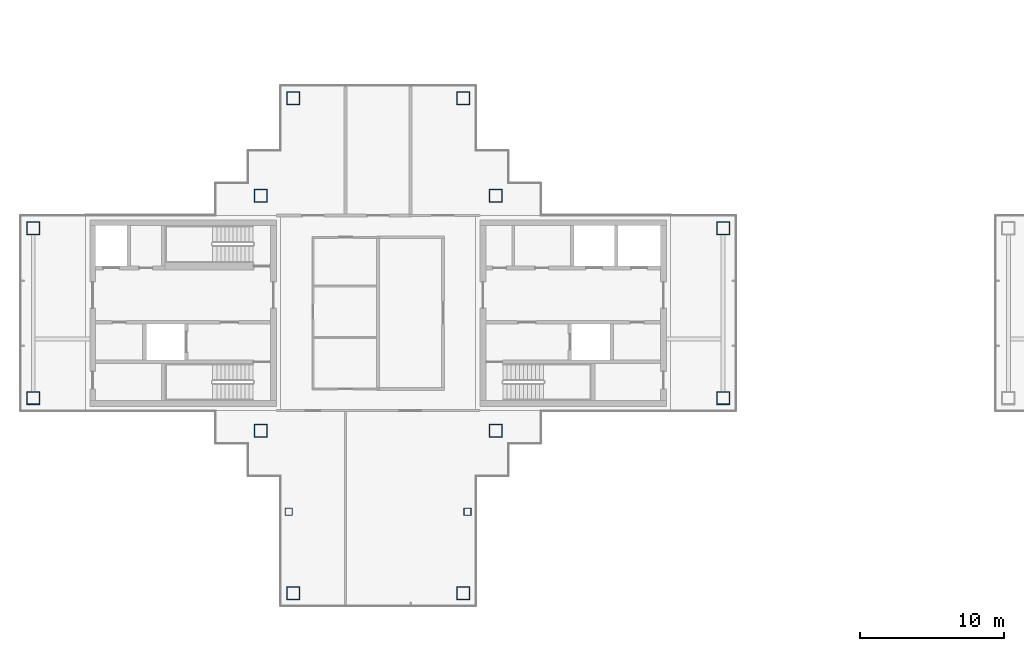
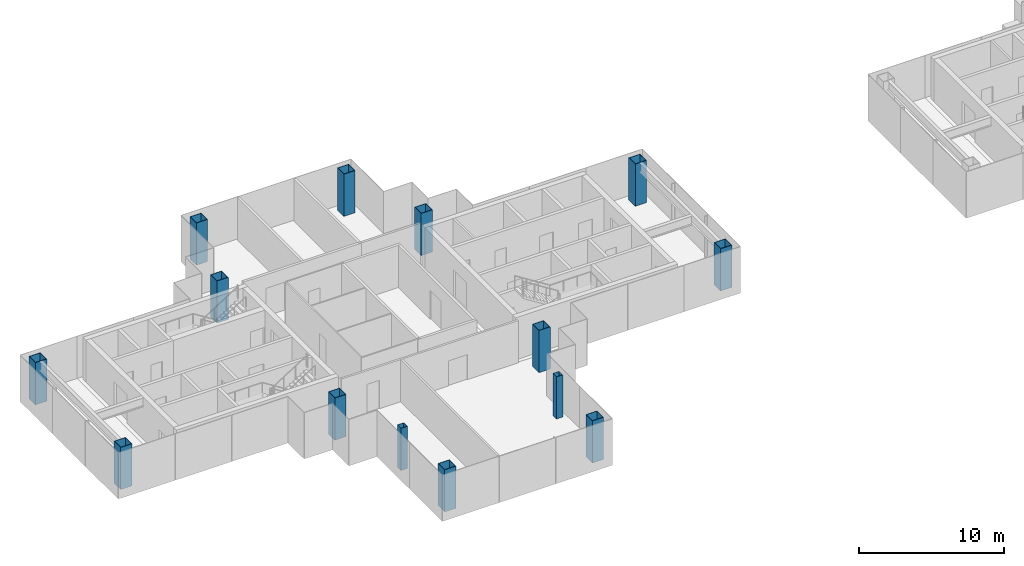
# One storey, part 1 of 16: 14 columns.
"""IFC4 building model written with IfcOpenShell, lengths in metres."""

import ifcopenshell
import ifcopenshell.guid

model = None  # the IFC model being written
_history = None  # IfcOwnerHistory: only IFC2X3 demands one
_inside = {}  # id of a spatial element -> (the spatial element, [elements in it])
_under = {}  # id of a project, library or spatial element -> (it, [spatial elements below it])
_declared = {}  # id of a project -> (the project, [libraries it declares])
_typed = {}  # id of a type object -> (the type object, [elements of that type])
_made_of = {}  # id of a material, layer set ... -> (it, [elements and type objects made of it])


def new_model(schema):
    """Start an empty IFC model of exactly this schema.

    Asked for "IFC4X3", IfcOpenShell would pick the latest addendum, in which some entities
    have other attributes; the version numbers below select the first issue.
    IFC2X3 requires an IfcOwnerHistory on every rooted entity: one is made here for all.
    """
    global model, _history
    if schema == "IFC4X3":
        model = ifcopenshell.file(schema_version=(4, 3, 0, 0))
    else:
        model = ifcopenshell.file(schema=schema)
    _inside.clear()
    _under.clear()
    _declared.clear()
    _typed.clear()
    _made_of.clear()
    _history = None
    if model.schema == "IFC2X3":
        org = make("IfcOrganization", Name="unknown")
        user = make(
            "IfcPersonAndOrganization",
            ThePerson=make("IfcPerson", FamilyName="unknown"),
            TheOrganization=org,
        )
        app = make(
            "IfcApplication",
            ApplicationDeveloper=org,
            Version="unknown",
            ApplicationFullName="unknown",
            ApplicationIdentifier="unknown",
        )
        _history = make(
            "IfcOwnerHistory",
            OwningUser=user,
            OwningApplication=app,
            ChangeAction="ADDED",
            CreationDate=0,
        )
    return model


def make(cls, **values):
    """One entity of the class cls with the attributes given. An attribute that is None is left unset."""
    return model.create_entity(
        cls, **{name: value for name, value in values.items() if value is not None}
    )


def rooted(cls, **values):
    """An entity with a GlobalId (a new one), such as an element, a storey or a relation."""
    return make(cls, GlobalId=ifcopenshell.guid.new(), OwnerHistory=_history, **values)


def si_unit(unit_type, name, prefix=None):
    """IfcSIUnit, for example si_unit("LENGTHUNIT", "METRE", prefix="MILLI")."""
    return make("IfcSIUnit", UnitType=unit_type, Prefix=prefix, Name=name)


def assignment(units):
    """IfcUnitAssignment: the units of a project."""
    return None if units is None else make("IfcUnitAssignment", Units=units)


def point(xyz):
    """IfcCartesianPoint."""
    return None if xyz is None else make("IfcCartesianPoint", Coordinates=xyz)


def direction(xyz):
    """IfcDirection."""
    return None if xyz is None else make("IfcDirection", DirectionRatios=xyz)


def frame(location, z_axis=None, x_axis=None):
    """IfcAxis2Placement3D, a coordinate frame: its origin and axes. An axis left out is left unset."""
    return make(
        "IfcAxis2Placement3D",
        Location=point(location),
        Axis=direction(z_axis),
        RefDirection=direction(x_axis),
    )


def frame_2d(location, x_axis=None):
    """IfcAxis2Placement2D, a coordinate frame in the plane: its origin and x axis."""
    return make(
        "IfcAxis2Placement2D", Location=point(location), RefDirection=direction(x_axis)
    )


def origin():
    """The frame at (0, 0, 0) with its axes left unset."""
    return frame((0.0, 0.0, 0.0))


def origin_2d():
    """The frame at (0, 0) in the plane with its x axis left unset."""
    return frame_2d((0.0, 0.0))


def place(relative_to, where):
    """IfcLocalPlacement: puts the frame where relative to a parent placement (None: the world)."""
    return make(
        "IfcLocalPlacement", PlacementRelTo=relative_to, RelativePlacement=where
    )


def context(
    kind, dimensions, precision=None, world=None, true_north=None, identifier=None
):
    """IfcGeometricRepresentationContext, for example the 3D "Model" context."""
    return make(
        "IfcGeometricRepresentationContext",
        ContextIdentifier=identifier,
        ContextType=kind,
        CoordinateSpaceDimension=dimensions,
        Precision=precision,
        WorldCoordinateSystem=world,
        TrueNorth=true_north,
    )


def subcontext(parent, identifier, kind, view, scale=None):
    """IfcGeometricRepresentationSubContext, for example "Body" below "Model"."""
    return make(
        "IfcGeometricRepresentationSubContext",
        ContextIdentifier=identifier,
        ContextType=kind,
        ParentContext=parent,
        TargetScale=scale,
        TargetView=view,
    )


def project(units=None, contexts=None):
    """IfcProject with its units and contexts."""
    return rooted(
        "IfcProject",
        Name="project",
        RepresentationContexts=contexts,
        UnitsInContext=assignment(units),
    )


def spatial(cls, under=None, at=None, **own):
    """A site, building, storey or space (cls), placed at a placement, below another one or the project."""
    s = rooted(cls, ObjectPlacement=at, **own)
    if under is not None:
        _under.setdefault(under.id(), (under, []))[1].append(s)
    return s


def profile(cls, at=None, kind="AREA", **sizes):
    """A parametric profile (cls). Its sizes go by their IFC names, for example OverallWidth=200.0."""
    return make(cls, ProfileType=kind, Position=at, **sizes)


def hollow_rectangle(**sizes):
    """IfcRectangleHollowProfileDef."""
    return profile("IfcRectangleHollowProfileDef", **sizes)


def extrude(swept, where, along, depth):
    """IfcExtrudedAreaSolid: the profile swept, set in the frame where, extruded along a direction by depth."""
    return make(
        "IfcExtrudedAreaSolid",
        SweptArea=swept,
        Position=where,
        ExtrudedDirection=direction(along),
        Depth=depth,
    )


def shape(context_of_items, identifier, shape_type, items):
    """IfcShapeRepresentation: the items that make up one representation, for example the "Body"."""
    return make(
        "IfcShapeRepresentation",
        ContextOfItems=context_of_items,
        RepresentationIdentifier=identifier,
        RepresentationType=shape_type,
        Items=items,
    )


def material(Name=None, Category=None):
    """IfcMaterial."""
    return make("IfcMaterial", Name=Name, Category=Category)


def material_profile(
    of_material, cross_section, Name=None, Category=None, Priority=None
):
    """IfcMaterialProfile: a cross section and its material."""
    return make(
        "IfcMaterialProfile",
        Name=Name,
        Material=of_material,
        Profile=cross_section,
        Priority=Priority,
        Category=Category,
    )


def profile_set(profiles, Name=None, composite=None):
    """IfcMaterialProfileSet."""
    return make(
        "IfcMaterialProfileSet",
        Name=Name,
        MaterialProfiles=profiles,
        CompositeProfile=composite,
    )


def made_of(thing, what):
    """Note that an element or type object is made of a material, layer set ...; save() writes the relation."""
    if what is not None:
        _made_of.setdefault(what.id(), (what, []))[1].append(thing)
    return thing


def type_object(cls, material=None, **own):
    """A type object (cls), such as IfcWallType, which elements share."""
    return made_of(rooted(cls, **own), material)


def element(
    cls,
    number,
    at=None,
    inside=None,
    cuts=None,
    type_object=None,
    material=None,
    context=None,
    identifier="Body",
    shape_type=None,
    held_by="IfcProductDefinitionShape",
    body=None,
    shapes=None,
    **own,
):
    """One element of the class cls, such as IfcWall. Its Tag is "e" and its number.

    at: its placement. inside: the storey or other place that contains it. cuts: it is an
    opening in that element (IfcRelVoidsElement). A single representation is given by context,
    identifier, shape_type and body (its items); several are given by shapes. held_by: the class
    of the entity that holds the representations. save() writes the other relations.
    """
    e = rooted(cls, Tag="e%d" % number, ObjectPlacement=at, **own)
    if body is not None:
        shapes = [shape(context, identifier, shape_type, body)]
    if shapes is not None:
        e.Representation = make(held_by, Representations=shapes)
    if inside is not None:
        _inside.setdefault(inside.id(), (inside, []))[1].append(e)
    if cuts is not None:
        rooted(
            "IfcRelVoidsElement", RelatingBuildingElement=cuts, RelatedOpeningElement=e
        )
    if type_object is not None:
        _typed.setdefault(type_object.id(), (type_object, []))[1].append(e)
    return made_of(e, material)


def aggregate(whole, parts):
    """IfcRelAggregates: a whole, such as a stair, and the parts it consists of."""
    return rooted("IfcRelAggregates", RelatingObject=whole, RelatedObjects=parts)


def save(model, path):
    """Write the relations noted so far, then the file.

    IfcRelAggregates (storeys below a building ...), IfcRelContainedInSpatialStructure (elements
    in a storey), IfcRelDefinesByType, IfcRelAssociatesMaterial and IfcRelDeclares: one each for
    every whole, place, type object, material and project.
    """
    for whole, parts in _under.values():
        aggregate(whole, parts)
    for where, things in _inside.values():
        rooted(
            "IfcRelContainedInSpatialStructure",
            RelatedElements=things,
            RelatingStructure=where,
        )
    for kind, things in _typed.values():
        rooted("IfcRelDefinesByType", RelatedObjects=things, RelatingType=kind)
    for what, things in _made_of.values():
        rooted("IfcRelAssociatesMaterial", RelatedObjects=things, RelatingMaterial=what)
    for by, libraries in _declared.values():
        rooted("IfcRelDeclares", RelatingContext=by, RelatedDefinitions=libraries)
    model.write(path)


model = new_model("IFC4")

# Units and contexts
model_context = context("Model", 3, precision=1e-05, world=origin(), true_north=direction((0.0, 1.0)))
body_context = subcontext(model_context, "Body", "Model", "MODEL_VIEW")
ifc_project = project(units=[si_unit("LENGTHUNIT", "METRE"), si_unit("AREAUNIT", "SQUARE_METRE"), si_unit("VOLUMEUNIT", "CUBIC_METRE"), si_unit("PLANEANGLEUNIT", "RADIAN"), si_unit("MASSUNIT", "GRAM", prefix="KILO")], contexts=[model_context])

# Site, building, storey
site_placement = place(None, origin())
site = spatial("IfcSite", under=ifc_project, at=site_placement, CompositionType="ELEMENT")
building_placement = place(site_placement, origin())
building = spatial("IfcBuilding", under=site, at=building_placement, Name="Shamsa Quay Exchange Towers", CompositionType="ELEMENT")
storey_placement = place(building_placement, frame((0.0, 0.0, 242.10009765625)))
storey = spatial("IfcBuildingStorey", under=building, at=storey_placement, Name="L58", CompositionType="ELEMENT", Elevation=242.10009765625)

# Columns
ifc_material_1 = material(Name="Concrete-filled steel tube S355 / C60/75", Category="concrete")
ifc_material_profile_1 = material_profile(ifc_material_1, hollow_rectangle(XDim=0.5, YDim=0.5, WallThickness=0.01611328125, at=origin_2d()), Name="CFT 500x500x16")
ifc_profile_set_1 = profile_set([ifc_material_profile_1], Name="Concrete-filled steel tube S355 / C60/75")
column_type_1 = type_object("IfcColumnType", Name="Column CFT 500x500x16", PredefinedType="COLUMN", material=ifc_profile_set_1)
for number, where, name in (
    (1, (-39.9375, -13.75, 0.0), "Perimeter column T1-CP19"),
    (2, (-27.5625, -13.75, 0.0), "Perimeter column T1-CP22"),
):
    element("IfcColumn", number, at=place(storey_placement, frame(where)), inside=storey, type_object=column_type_1, Name=name, PredefinedType="COLUMN", context=body_context, shape_type="SweptSolid", body=[
        extrude(hollow_rectangle(XDim=0.5, YDim=0.5, WallThickness=0.01611328125, at=origin_2d()), origin(), (0.0, 0.0, 1.0), 3.5498046875),
    ])
ifc_material_2 = material(Name="Concrete-filled steel tube S355 / C80/95", Category="concrete")
ifc_material_profile_2 = material_profile(ifc_material_2, hollow_rectangle(XDim=0.89990234375, YDim=0.89990234375, WallThickness=0.035888671875, at=origin_2d()), Name="CFT 900x900x36")
ifc_profile_set_2 = profile_set([ifc_material_profile_2], Name="Concrete-filled steel tube S355 / C80/95")
column_type_2 = type_object("IfcColumnType", Name="Column CFT 900x900x36", PredefinedType="COLUMN", material=ifc_profile_set_2)
for number, where, name in (
    (3, (-25.625, 8.125, 0.0), "Mega column T1-CM01"),
    (4, (-25.625, -8.125, 0.0), "Mega column T1-CM02"),
    (5, (-41.875, 8.125, 0.0), "Mega column T1-CM03"),
    (6, (-41.875, -8.125, 0.0), "Mega column T1-CM04"),
    (7, (-9.875, -5.875, 0.0), "Mega column T1-CM05"),
    (8, (-9.875, 5.875, 0.0), "Mega column T1-CM07"),
    (9, (-57.625, -5.875, 0.0), "Mega column T1-CM09"),
    (10, (-57.625, 5.875, 0.0), "Mega column T1-CM11"),
    (11, (-39.625, 14.875, 0.0), "Mega column T1-CM13"),
    (12, (-27.875, 14.875, 0.0), "Mega column T1-CM16"),
    (13, (-39.625, -19.375, 0.0), "Mega column T1-CM20"),
    (14, (-27.875, -19.375, 0.0), "Mega column T1-CM23"),
):
    element("IfcColumn", number, at=place(storey_placement, frame(where)), inside=storey, type_object=column_type_2, Name=name, PredefinedType="COLUMN", context=body_context, shape_type="SweptSolid", body=[
        extrude(hollow_rectangle(XDim=0.89990234375, YDim=0.89990234375, WallThickness=0.035888671875, at=origin_2d()), origin(), (0.0, 0.0, 1.0), 3.5498046875),
    ])

save(model, "model.ifc")
